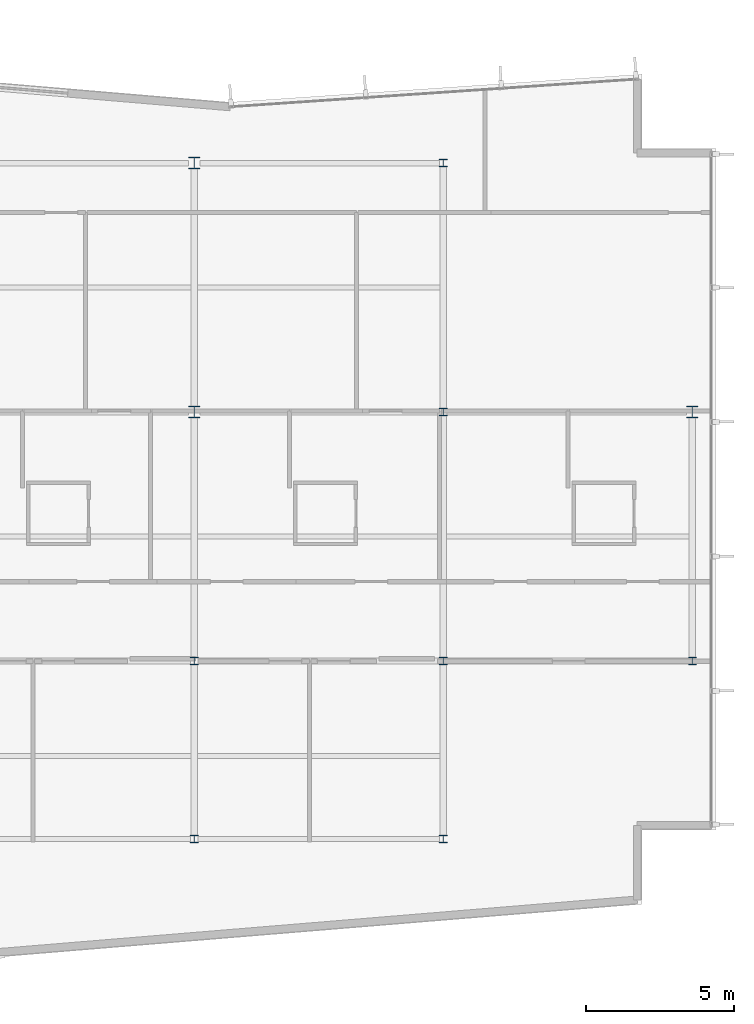
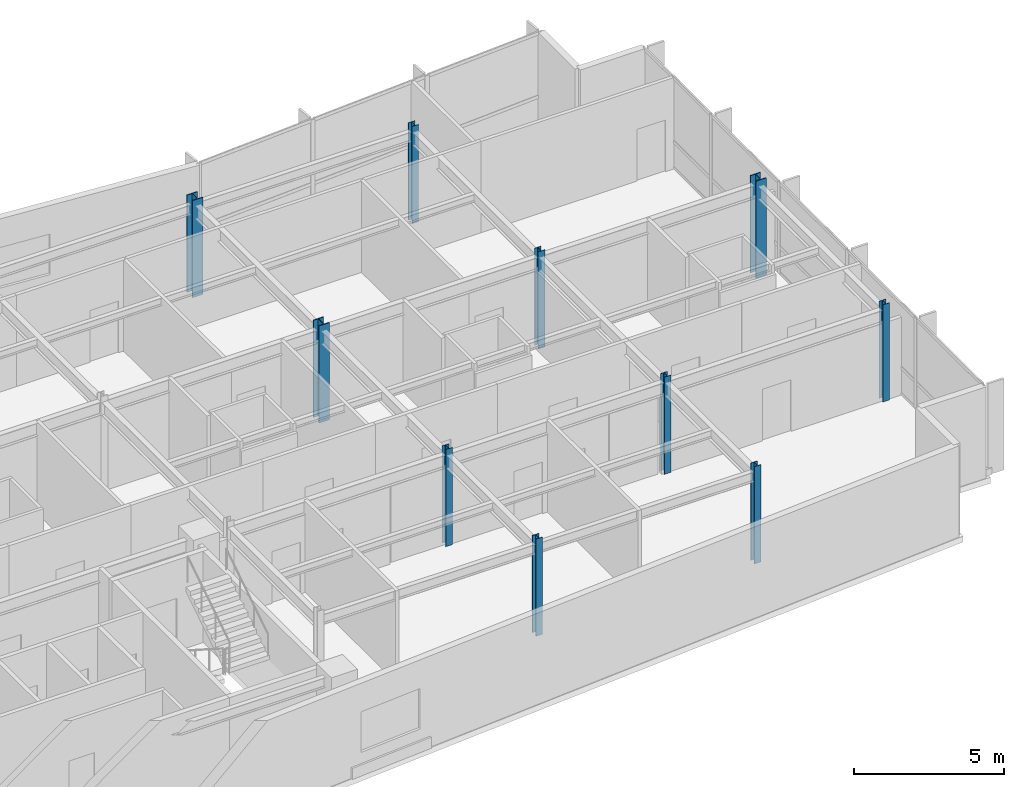
# One storey, part 2 of 16: 10 columns.
"""IFC4 building model written with IfcOpenShell, lengths in metres."""

from ifc_helpers import new_model, si_unit, direction, frame, origin, origin_2d, place, context, subcontext, project, spatial, i_section, extrude, material, material_profile, profile_set, type_object, element, save


model = new_model("IFC4")

# Units and contexts
model_context = context("Model", 3, precision=1e-05, world=origin(), true_north=direction((0.0, 1.0)))
body_context = subcontext(model_context, "Body", "Model", "MODEL_VIEW")
ifc_project = project(units=[si_unit("LENGTHUNIT", "METRE"), si_unit("AREAUNIT", "SQUARE_METRE"), si_unit("VOLUMEUNIT", "CUBIC_METRE"), si_unit("PLANEANGLEUNIT", "RADIAN"), si_unit("MASSUNIT", "GRAM", prefix="KILO")], contexts=[model_context])

# Site, building, storey
site_placement = place(None, origin())
site = spatial("IfcSite", under=ifc_project, at=site_placement, CompositionType="ELEMENT")
building_placement = place(site_placement, origin())
building = spatial("IfcBuilding", under=site, at=building_placement, Name="Varnakote Quay Hospital", CompositionType="ELEMENT")
storey_placement = place(building_placement, frame((0.0, 0.0, 188.14990234375)))
storey = spatial("IfcBuildingStorey", under=building, at=storey_placement, Name="L46", CompositionType="ELEMENT", Elevation=188.14990234375)

# Columns
ifc_material_1 = material(Name="Structural steel AS/NZS 3679.1 Grade 350 L0 (fy 340 MPa)", Category="steel")
ifc_material_profile_1 = material_profile(ifc_material_1, i_section(OverallWidth=0.256103515625, OverallDepth=0.260009765625, WebThickness=0.010498046875, FlangeThickness=0.017333984375, FilletRadius=0.0126953125, at=origin_2d()), Name="250UC89.5")
ifc_profile_set_1 = profile_set([ifc_material_profile_1], Name="Structural steel AS/NZS 3679.1 Grade 350 L0 (fy 340 MPa)")
column_type_1 = type_object("IfcColumnType", Name="COL-STL-250UC89-5", PredefinedType="COLUMN", material=ifc_profile_set_1)
for number, where, z_axis, x_axis, name in (
    (1, (33.60009765625, 6.0, 0.0), (0.0, 0.0, 1.0), (1.0, 0.0, 0.0), "L46 Structural Column C-34-6"),
    (2, (42.0, 6.0, 0.0), (0.0, 0.0, 1.0), (1.0, 0.0, 0.0), "L46 Structural Column C-42-6"),
    (3, (33.60009765625, 12.0, 0.0), (0.0, 0.0, 1.0), (1.0, 0.0, 0.0), "L46 Structural Column C-34-12"),
    (4, (42.0, 12.0, 0.0), (0.0, 0.0, 1.0), (1.0, 0.0, 0.0), "L46 Structural Column C-42-12"),
    (5, (50.39990234375, 12.0, 0.0), (0.0, 0.0, 1.0), (1.0, 0.0, 0.0), "L46 Structural Column C-50-12"),
    (6, (42.0, 20.39990234375, 0.0), (0.0, 0.0, 1.0), (1.0, 0.0, 0.0), "L46 Structural Column C-42-20"),
    (7, (42.0, 28.800048828125, 0.0), (0.0, 0.0, 1.0), (1.0, 0.0, 0.0), "L46 Structural Column C-42-29"),
):
    element("IfcColumn", number, at=place(storey_placement, frame(where, z_axis=z_axis, x_axis=x_axis)), inside=storey, type_object=column_type_1, Name=name, PredefinedType="COLUMN", context=body_context, shape_type="SweptSolid", body=[
        extrude(i_section(OverallWidth=0.256103515625, OverallDepth=0.260009765625, WebThickness=0.010498046875, FlangeThickness=0.017333984375, FilletRadius=0.0126953125, at=origin_2d()), origin(), (0.0, 0.0, 1.0), 3.9501953125),
    ])
ifc_material_2 = material(Name="Structural steel AS/NZS 3678 Grade 350 (fy 340 MPa)", Category="steel")
ifc_material_profile_2 = material_profile(ifc_material_2, i_section(OverallWidth=0.39990234375, OverallDepth=0.404052734375, WebThickness=0.02001953125, FlangeThickness=0.031982421875, at=origin_2d()), Name="400WC270")
ifc_profile_set_2 = profile_set([ifc_material_profile_2], Name="Structural steel AS/NZS 3678 Grade 350 (fy 340 MPa)")
column_type_2 = type_object("IfcColumnType", Name="COL-STL-400WC270", PredefinedType="COLUMN", material=ifc_profile_set_2)
for number, where, z_axis, x_axis, name in (
    (8, (33.60009765625, 20.39990234375, 0.0), (0.0, 0.0, 1.0), (1.0, 0.0, 0.0), "L46 Structural Column C-34-20"),
    (9, (50.39990234375, 20.39990234375, 0.0), (0.0, 0.0, 1.0), (1.0, 0.0, 0.0), "L46 Structural Column C-50-20"),
    (10, (33.60009765625, 28.800048828125, 0.0), (0.0, 0.0, 1.0), (1.0, 0.0, 0.0), "L46 Structural Column C-34-29"),
):
    element("IfcColumn", number, at=place(storey_placement, frame(where, z_axis=z_axis, x_axis=x_axis)), inside=storey, type_object=column_type_2, Name=name, PredefinedType="COLUMN", context=body_context, shape_type="SweptSolid", body=[
        extrude(i_section(OverallWidth=0.39990234375, OverallDepth=0.404052734375, WebThickness=0.02001953125, FlangeThickness=0.031982421875, at=origin_2d()), origin(), (0.0, 0.0, 1.0), 3.9501953125),
    ])

save(model, "model.ifc")
